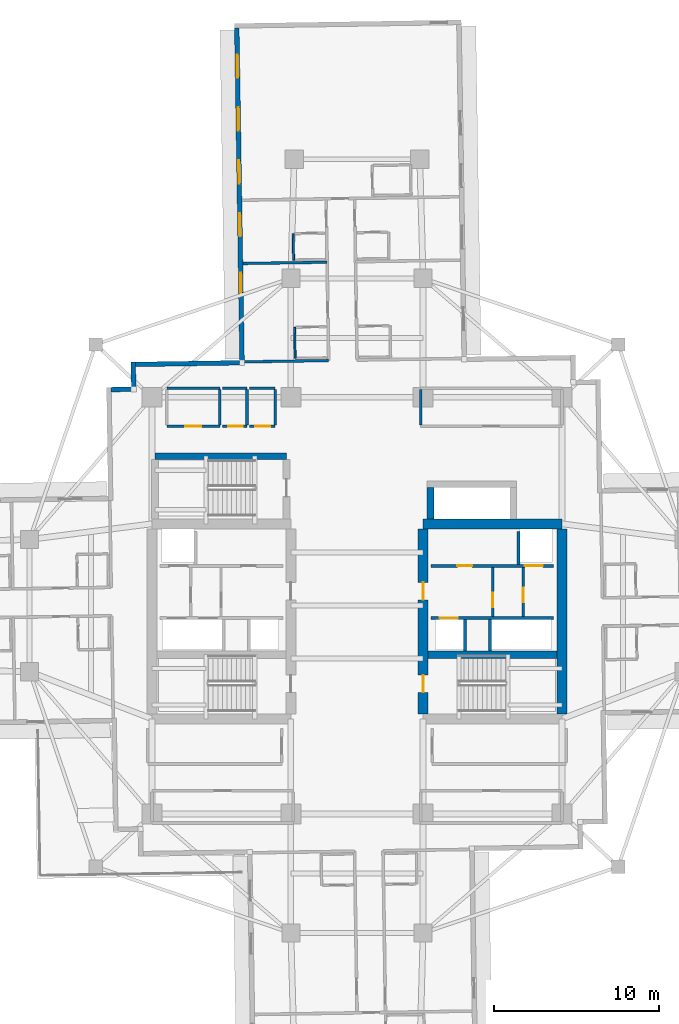
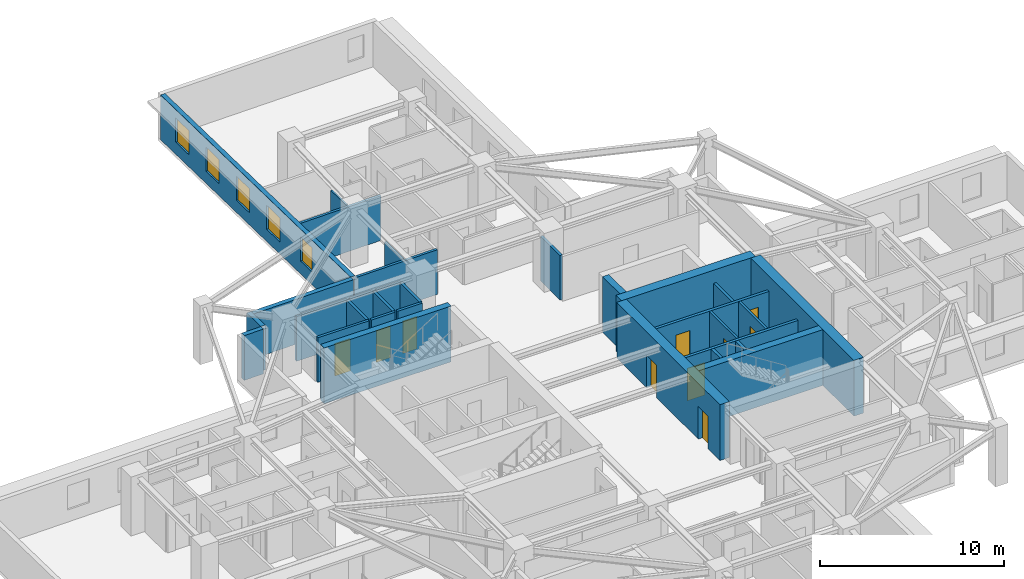
# One storey, part 6 of 14: 31 walls, 10 doors, 5 windows, 15 openings.
"""IFC4 building model written with IfcOpenShell, lengths in metres."""

from ifc_helpers import new_model, si_unit, direction, frame, frame_2d, origin, place, context, subcontext, project, spatial, rectangle, extrude, material, layer, layer_set, type_object, element, fill, save


model = new_model("IFC4")

# Units and contexts
model_context = context("Model", 3, precision=1e-05, world=origin(), true_north=direction((0.0, 1.0)))
body_context = subcontext(model_context, "Body", "Model", "MODEL_VIEW")
ifc_project = project(units=[si_unit("LENGTHUNIT", "METRE"), si_unit("AREAUNIT", "SQUARE_METRE"), si_unit("VOLUMEUNIT", "CUBIC_METRE"), si_unit("PLANEANGLEUNIT", "RADIAN"), si_unit("MASSUNIT", "GRAM", prefix="KILO")], contexts=[model_context])

# Site, building, storey
site_placement = place(None, origin())
site = spatial("IfcSite", under=ifc_project, at=site_placement, CompositionType="ELEMENT")
building_placement = place(site_placement, origin())
building = spatial("IfcBuilding", under=site, at=building_placement, Name="Qingluan Cross Belvedere", CompositionType="ELEMENT")
storey_placement = place(building_placement, frame((0.0, 0.0, 108.60009765625)))
storey = spatial("IfcBuildingStorey", under=building, at=storey_placement, Name="L27", CompositionType="ELEMENT", Elevation=108.60009765625)

# Walls
ifc_material_1 = material(Name="Concrete C50", Category="concrete")
ifc_layer_1 = layer(ifc_material_1, 0.449951171875, Name="CoreShearWall_450")
ifc_layer_set_1 = layer_set([ifc_layer_1], Name="Concrete C50")
wall_type_1 = type_object("IfcWallType", Name="CoreShearWall_450", PredefinedType="SHEAR", material=ifc_layer_set_1)
wall_1_placement = place(storey_placement, frame((4.304931640625, -2.9599609375, 0.0), z_axis=(0.0, 0.0, 1.0), x_axis=(1.0, 0.0, 0.0)))
element("IfcWall", 1, at=wall_1_placement, inside=storey, type_object=wall_type_1, Name="Split core E shear wall L27-M", PredefinedType="SHEAR", context=body_context, shape_type="SweptSolid", body=[
    extrude(rectangle(XDim=7.7900390625, YDim=0.449951171875, at=frame_2d((3.89501953125, 0.0))), origin(), (0.0, 0.0, 1.0), 3.699951171875),
])
wall_2_placement = place(storey_placement, frame((-12.219970703125, 9.0400390625, 0.0), z_axis=(0.0, 0.0, 1.0), x_axis=(1.0, 0.0, 0.0)))
element("IfcWall", 2, at=wall_2_placement, inside=storey, type_object=wall_type_1, Name="Stair ST3 structural wall N L27", PredefinedType="SHEAR", context=body_context, shape_type="SweptSolid", body=[
    extrude(rectangle(XDim=7.9599609375, YDim=0.39990234375, at=frame_2d((3.97998046875, 0.0))), origin(), (0.0, 0.0, 1.0), 3.699951171875),
])
wall_3_placement = place(storey_placement, frame((4.449951171875, 5.2548828125, 0.0), z_axis=(0.0, 0.0, 1.0), x_axis=(0.0, 1.0, 0.0)))
element("IfcWall", 3, at=wall_3_placement, inside=storey, type_object=wall_type_1, Name="Express shuttle core wall L27-W", PredefinedType="SHEAR", context=body_context, shape_type="SweptSolid", body=[
    extrude(rectangle(XDim=1.885009765625, YDim=0.39990234375, at=frame_2d((0.9423828125, 0.0))), origin(), (0.0, 0.0, 1.0), 3.699951171875),
])
ifc_material_2 = material(Name="Concrete C60", Category="concrete")
ifc_layer_2 = layer(ifc_material_2, 0.60009765625, Name="CoreShearWall_600")
ifc_layer_set_2 = layer_set([ifc_layer_2], Name="Concrete C60")
wall_type_2 = type_object("IfcWallType", Name="CoreShearWall_600", PredefinedType="SHEAR", material=ifc_layer_set_2)
wall_4_placement = place(storey_placement, frame((4.0, 4.949951171875, 0.0), z_axis=(0.0, 0.0, 1.0), x_axis=(1.0, 0.0, 0.0)))
element("IfcWall", 4, at=wall_4_placement, inside=storey, type_object=wall_type_2, Name="Split core E shear wall L27-N", PredefinedType="SHEAR", context=body_context, shape_type="SweptSolid", body=[
    extrude(rectangle(XDim=8.39990234375, YDim=0.60009765625, at=frame_2d((4.199951171875, 0.0))), origin(), (0.0, 0.0, 1.0), 3.699951171875),
])

# Wall, openings, doors
wall_5_placement = place(storey_placement, frame((4.0, -6.544921875, 0.0), z_axis=(0.0, 0.0, 1.0), x_axis=(0.0, 1.0, 0.0)))
wall_5 = element("IfcWall", 5, at=wall_5_placement, inside=storey, type_object=wall_type_2, Name="Split core E shear wall L27-W", PredefinedType="SHEAR", context=body_context, shape_type="SweptSolid", body=[
    extrude(rectangle(XDim=11.18994140625, YDim=0.60009765625, at=frame_2d((5.594970703125, 0.0))), origin(), (0.0, 0.0, 1.0), 3.699951171875),
])
opening_1_placement = place(wall_5_placement, frame((1.294921875, 0.0, 0.0)))
opening_1 = element("IfcOpeningElement", 6, at=opening_1_placement, cuts=wall_5, Name="Opening FD-B11", PredefinedType="OPENING", context=body_context, shape_type="SweptSolid", body=[
    extrude(rectangle(XDim=1.050048828125, YDim=2.14990234375, at=frame_2d((0.52490234375, 1.074951171875))), frame((0.0, 0.31005859375, 0.0), z_axis=(0.0, -1.0, 0.0), x_axis=(1.0, 0.0, 0.0)), (0.0, 0.0, 1.0), 0.6201171875),
])
opening_2_placement = place(wall_5_placement, frame((6.89501953125, 0.0, 0.0)))
opening_2 = element("IfcOpeningElement", 7, at=opening_2_placement, cuts=wall_5, Name="Opening FD-B11", PredefinedType="OPENING", context=body_context, shape_type="SweptSolid", body=[
    extrude(rectangle(XDim=1.050048828125, YDim=2.14990234375, at=frame_2d((0.52490234375, 1.074951171875))), frame((0.0, 0.31005859375, 0.0), z_axis=(0.0, -1.0, 0.0), x_axis=(1.0, 0.0, 0.0)), (0.0, 0.0, 1.0), 0.6201171875),
])
ifc_material_3 = material(Name="Steel Class B smoke-seal fire door", Category="steel")
door_type_1 = type_object("IfcDoorType", Name="StairLobbyFireDoor_FDB", OperationType="NOTDEFINED", PredefinedType="DOOR", material=ifc_material_3)
door_1_placement = place(opening_1_placement, origin())
door_1 = element("IfcDoor", 8, at=door_1_placement, inside=storey, type_object=door_type_1, Name="Smoke-proof stair ST2 fire door L27", OperationType="SINGLE_SWING_RIGHT", OverallHeight=2.14990234375, OverallWidth=1.050048828125, PredefinedType="DOOR", context=body_context, shape_type="SweptSolid", body=[
    extrude(rectangle(XDim=1.050048828125, YDim=2.14990234375, at=frame_2d((0.52490234375, 1.074951171875))), frame((0.0, 0.02490234375, 0.0), z_axis=(0.0, -1.0, 0.0), x_axis=(1.0, 0.0, 0.0)), (0.0, 0.0, 1.0), 0.050048828125),
])
fill(opening_1, door_1)
door_2_placement = place(opening_2_placement, origin())
door_2 = element("IfcDoor", 9, at=door_2_placement, inside=storey, type_object=door_type_1, Name="Firefighting lobby East fire door L27", OperationType="SINGLE_SWING_RIGHT", OverallHeight=2.14990234375, OverallWidth=1.050048828125, PredefinedType="DOOR", context=body_context, shape_type="SweptSolid", body=[
    extrude(rectangle(XDim=1.050048828125, YDim=2.14990234375, at=frame_2d((0.52490234375, 1.074951171875))), frame((0.0, 0.02490234375, 0.0), z_axis=(0.0, -1.0, 0.0), x_axis=(1.0, 0.0, 0.0)), (0.0, 0.0, 1.0), 0.050048828125),
])
fill(opening_2, door_2)

# Wall
wall_6_placement = place(storey_placement, frame((12.39990234375, -6.544921875, 0.0), z_axis=(0.0, 0.0, 1.0), x_axis=(0.0, 1.0, 0.0)))
element("IfcWall", 10, at=wall_6_placement, inside=storey, type_object=wall_type_2, Name="Split core E shear wall L27-E", PredefinedType="SHEAR", context=body_context, shape_type="SweptSolid", body=[
    extrude(rectangle(XDim=11.18994140625, YDim=0.60009765625, at=frame_2d((5.594970703125, 0.0))), origin(), (0.0, 0.0, 1.0), 3.699951171875),
])

# Wall, opening, door
ifc_material_4 = material(Name="Gypsum plasterboard on steel stud acoustic partition", Category="steel")
ifc_layer_3 = layer(ifc_material_4, 0.159912109375, Name="CorridorPartition_160")
ifc_layer_set_3 = layer_set([ifc_layer_3], Name="Gypsum plasterboard on steel stud acoustic partition")
wall_type_3 = type_object("IfcWallType", Name="CorridorPartition_160", PredefinedType="PARTITIONING", material=ifc_layer_set_3)
wall_7_placement = place(storey_placement, frame((10.050048828125, -0.652099609375, 0.0), z_axis=(0.0, 0.0, 1.0), x_axis=(0.0, 1.0, 0.0)))
wall_7 = element("IfcWall", 11, at=wall_7_placement, inside=storey, type_object=wall_type_3, Name="Partition L27:ev", PredefinedType="PARTITIONING", context=body_context, shape_type="SweptSolid", body=[
    extrude(rectangle(XDim=2.962158203125, YDim=0.139892578125, at=frame_2d((1.48095703125, 0.0))), origin(), (0.0, 0.0, 1.0), 2.9599609375),
])
opening_3_placement = place(wall_7_placement, frame((0.85009765625, 0.0, 0.0)))
opening_3 = element("IfcOpeningElement", 12, at=opening_3_placement, cuts=wall_7, Name="Opening FD-B10", PredefinedType="OPENING", context=body_context, shape_type="SweptSolid", body=[
    extrude(rectangle(XDim=0.8798828125, YDim=2.10009765625, at=frame_2d((0.43994140625, 1.050048828125))), frame((0.0, 0.079833984375, 0.0), z_axis=(0.0, -1.0, 0.0), x_axis=(1.0, 0.0, 0.0)), (0.0, 0.0, 1.0), 0.159912109375),
])
ifc_material_5 = material(Name="Steel Class B service fire door", Category="steel")
door_type_2 = type_object("IfcDoorType", Name="RiserServiceFireDoor_FDB", OperationType="NOTDEFINED", PredefinedType="DOOR", material=ifc_material_5)
door_3_placement = place(opening_3_placement, origin())
door_3 = element("IfcDoor", 13, at=door_3_placement, inside=storey, type_object=door_type_2, Name="Service closet inner door L27", OperationType="SINGLE_SWING_LEFT", OverallHeight=2.10009765625, OverallWidth=0.8798828125, PredefinedType="DOOR", context=body_context, shape_type="SweptSolid", body=[
    extrude(rectangle(XDim=0.8798828125, YDim=2.10009765625, at=frame_2d((0.43994140625, 1.050048828125))), frame((0.0, 0.02490234375, 0.0), z_axis=(0.0, -1.0, 0.0), x_axis=(1.0, 0.0, 0.0)), (0.0, 0.0, 1.0), 0.050048828125),
])
fill(opening_3, door_3)

wall_8_placement = place(storey_placement, frame((-11.5, 10.85009765625, 0.0), z_axis=(0.0, 0.0, 1.0), x_axis=(1.0, 0.0, 0.0)))
wall_8 = element("IfcWall", 14, at=wall_8_placement, inside=storey, type_object=wall_type_3, Name="Partition L27:q_nw_occ:S", PredefinedType="PARTITIONING", context=body_context, shape_type="SweptSolid", body=[
    extrude(rectangle(XDim=3.199951171875, YDim=0.159912109375, at=frame_2d((1.60009765625, 0.0))), origin(), (0.0, 0.0, 1.0), 2.9599609375),
])
opening_4_placement = place(wall_8_placement, frame((1.1201171875, 0.0, 0.0)))
opening_4 = element("IfcOpeningElement", 15, at=opening_4_placement, cuts=wall_8, Name="Opening GD-10", PredefinedType="OPENING", context=body_context, shape_type="SweptSolid", body=[
    extrude(rectangle(XDim=0.9599609375, YDim=2.14990234375, at=frame_2d((0.47998046875, 1.074951171875))), frame((0.0, 0.08984375, 0.0), z_axis=(0.0, -1.0, 0.0), x_axis=(1.0, 0.0, 0.0)), (0.0, 0.0, 1.0), 0.179931640625),
])
ifc_material_6 = material(Name="Timber oak fire-rated acoustic guestroom door", Category="wood")
door_type_3 = type_object("IfcDoorType", Name="GuestEntryDoor_FD60", OperationType="NOTDEFINED", PredefinedType="DOOR", material=ifc_material_6)
door_4_placement = place(opening_4_placement, origin())
door_4 = element("IfcDoor", 16, at=door_4_placement, inside=storey, type_object=door_type_3, Name="Northwest corner reading salon L27 door", OperationType="SINGLE_SWING_RIGHT", OverallHeight=2.14990234375, OverallWidth=0.9599609375, PredefinedType="DOOR", context=body_context, shape_type="SweptSolid", body=[
    extrude(rectangle(XDim=0.9599609375, YDim=2.14990234375, at=frame_2d((0.47998046875, 1.074951171875))), frame((0.0, 0.02490234375, 0.0), z_axis=(0.0, -1.0, 0.0), x_axis=(1.0, 0.0, 0.0)), (0.0, 0.0, 1.0), 0.050048828125),
])
fill(opening_4, door_4)

# Walls
wall_9_placement = place(storey_placement, frame((-11.5, 13.14990234375, 0.0), z_axis=(0.0, 0.0, 1.0), x_axis=(1.0, 0.0, 0.0)))
element("IfcWall", 17, at=wall_9_placement, inside=storey, type_object=wall_type_3, Name="Partition L27:q_nw_occ:N", PredefinedType="PARTITIONING", context=body_context, shape_type="SweptSolid", body=[
    extrude(rectangle(XDim=3.199951171875, YDim=0.159912109375, at=frame_2d((1.60009765625, 0.0))), origin(), (0.0, 0.0, 1.0), 2.9599609375),
])
wall_10_placement = place(storey_placement, frame((-8.300048828125, 10.93505859375, 0.0), z_axis=(0.0, 0.0, 1.0), x_axis=(0.0, 1.0, 0.0)))
element("IfcWall", 18, at=wall_10_placement, inside=storey, type_object=wall_type_3, Name="Partition L27:q_nw_occ:E", PredefinedType="PARTITIONING", context=body_context, shape_type="SweptSolid", body=[
    extrude(rectangle(XDim=2.1298828125, YDim=0.159912109375, at=frame_2d((1.06494140625, 0.0))), origin(), (0.0, 0.0, 1.0), 2.9599609375),
])

# Wall, opening, door
wall_11_placement = place(storey_placement, frame((-8.139892578125, 10.85009765625, 0.0), z_axis=(0.0, 0.0, 1.0), x_axis=(1.0, 0.0, 0.0)))
wall_11 = element("IfcWall", 19, at=wall_11_placement, inside=storey, type_object=wall_type_3, Name="Partition L27:hk_linen:S", PredefinedType="PARTITIONING", context=body_context, shape_type="SweptSolid", body=[
    extrude(rectangle(XDim=1.489990234375, YDim=0.159912109375, at=frame_2d((0.7451171875, 0.0))), origin(), (0.0, 0.0, 1.0), 2.9599609375),
])
opening_5_placement = place(wall_11_placement, frame((0.35009765625, 0.0, 0.0)))
opening_5 = element("IfcOpeningElement", 20, at=opening_5_placement, cuts=wall_11, Name="Opening FD-B10", PredefinedType="OPENING", context=body_context, shape_type="SweptSolid", body=[
    extrude(rectangle(XDim=0.8798828125, YDim=2.10009765625, at=frame_2d((0.43994140625, 1.050048828125))), frame((0.0, 0.08984375, 0.0), z_axis=(0.0, -1.0, 0.0), x_axis=(1.0, 0.0, 0.0)), (0.0, 0.0, 1.0), 0.179931640625),
])
door_5_placement = place(opening_5_placement, origin())
door_5 = element("IfcDoor", 21, at=door_5_placement, inside=storey, type_object=door_type_2, Name="Housekeeping and linen store L27 door", OperationType="SINGLE_SWING_LEFT", OverallHeight=2.10009765625, OverallWidth=0.8798828125, PredefinedType="DOOR", context=body_context, shape_type="SweptSolid", body=[
    extrude(rectangle(XDim=0.8798828125, YDim=2.10009765625, at=frame_2d((0.43994140625, 1.050048828125))), frame((0.0, 0.02490234375, 0.0), z_axis=(0.0, -1.0, 0.0), x_axis=(1.0, 0.0, 0.0)), (0.0, 0.0, 1.0), 0.050048828125),
])
fill(opening_5, door_5)

# Walls
wall_12_placement = place(storey_placement, frame((-8.139892578125, 13.14990234375, 0.0), z_axis=(0.0, 0.0, 1.0), x_axis=(1.0, 0.0, 0.0)))
element("IfcWall", 22, at=wall_12_placement, inside=storey, type_object=wall_type_3, Name="Partition L27:hk_linen:N", PredefinedType="PARTITIONING", context=body_context, shape_type="SweptSolid", body=[
    extrude(rectangle(XDim=1.489990234375, YDim=0.159912109375, at=frame_2d((0.7451171875, 0.0))), origin(), (0.0, 0.0, 1.0), 2.9599609375),
])
wall_13_placement = place(storey_placement, frame((-6.64990234375, 10.93505859375, 0.0), z_axis=(0.0, 0.0, 1.0), x_axis=(0.0, 1.0, 0.0)))
element("IfcWall", 23, at=wall_13_placement, inside=storey, type_object=wall_type_3, Name="Partition L27:hk_linen:E", PredefinedType="PARTITIONING", context=body_context, shape_type="SweptSolid", body=[
    extrude(rectangle(XDim=2.1298828125, YDim=0.159912109375, at=frame_2d((1.06494140625, 0.0))), origin(), (0.0, 0.0, 1.0), 2.9599609375),
])

# Wall, opening, door
wall_14_placement = place(storey_placement, frame((-6.489990234375, 10.85009765625, 0.0), z_axis=(0.0, 0.0, 1.0), x_axis=(1.0, 0.0, 0.0)))
wall_14 = element("IfcWall", 24, at=wall_14_placement, inside=storey, type_object=wall_type_3, Name="Partition L27:floor_acc_wc:S", PredefinedType="PARTITIONING", context=body_context, shape_type="SweptSolid", body=[
    extrude(rectangle(XDim=1.5400390625, YDim=0.159912109375, at=frame_2d((0.77001953125, 0.0))), origin(), (0.0, 0.0, 1.0), 2.9599609375),
])
opening_6_placement = place(wall_14_placement, frame((0.35009765625, 0.0, 0.0)))
opening_6 = element("IfcOpeningElement", 25, at=opening_6_placement, cuts=wall_14, Name="Opening BD-08", PredefinedType="OPENING", context=body_context, shape_type="SweptSolid", body=[
    extrude(rectangle(XDim=0.8798828125, YDim=2.14990234375, at=frame_2d((0.43994140625, 1.074951171875))), frame((0.0, 0.08984375, 0.0), z_axis=(0.0, -1.0, 0.0), x_axis=(1.0, 0.0, 0.0)), (0.0, 0.0, 1.0), 0.179931640625),
])
ifc_material_7 = material(Name="Moisture-sealed timber accessible WC door", Category="wood")
door_type_4 = type_object("IfcDoorType", Name="AccessibleWCDoor_880", OperationType="NOTDEFINED", PredefinedType="DOOR", material=ifc_material_7)
door_6_placement = place(opening_6_placement, origin())
door_6 = element("IfcDoor", 26, at=door_6_placement, inside=storey, type_object=door_type_4, Name="Accessible guest washroom L27 door", OperationType="SINGLE_SWING_RIGHT", OverallHeight=2.14990234375, OverallWidth=0.8798828125, PredefinedType="DOOR", context=body_context, shape_type="SweptSolid", body=[
    extrude(rectangle(XDim=0.8798828125, YDim=2.14990234375, at=frame_2d((0.43994140625, 1.074951171875))), frame((0.0, 0.02490234375, 0.0), z_axis=(0.0, -1.0, 0.0), x_axis=(1.0, 0.0, 0.0)), (0.0, 0.0, 1.0), 0.050048828125),
])
fill(opening_6, door_6)

# Walls
wall_15_placement = place(storey_placement, frame((-6.489990234375, 13.14990234375, 0.0), z_axis=(0.0, 0.0, 1.0), x_axis=(1.0, 0.0, 0.0)))
element("IfcWall", 27, at=wall_15_placement, inside=storey, type_object=wall_type_3, Name="Partition L27:floor_acc_wc:N", PredefinedType="PARTITIONING", context=body_context, shape_type="SweptSolid", body=[
    extrude(rectangle(XDim=1.5400390625, YDim=0.159912109375, at=frame_2d((0.77001953125, 0.0))), origin(), (0.0, 0.0, 1.0), 2.9599609375),
])
for number, where, z_axis, x_axis, name in (
    (28, (-4.949951171875, 10.93505859375, 0.0), (0.0, 0.0, 1.0), (0.0, 1.0, 0.0), "Partition L27:floor_acc_wc:E"),
    (29, (3.85009765625, 10.93505859375, 0.0), (0.0, 0.0, 1.0), (0.0, 1.0, 0.0), "Partition L27:q_ne:W"),
):
    element("IfcWall", number, at=place(storey_placement, frame(where, z_axis=z_axis, x_axis=x_axis)), inside=storey, type_object=wall_type_3, Name=name, PredefinedType="PARTITIONING", context=body_context, shape_type="SweptSolid", body=[
        extrude(rectangle(XDim=2.1298828125, YDim=0.159912109375, at=frame_2d((1.06494140625, 0.0))), origin(), (0.0, 0.0, 1.0), 2.9599609375),
    ])
wall_16_placement = place(storey_placement, frame((-1.713134765625, 14.824951171875, 0.0), z_axis=(0.0, 0.0, 1.0), x_axis=(-0.99987672073, -0.015701698737, 0.0)))
element("IfcWall", 30, at=wall_16_placement, inside=storey, type_object=wall_type_3, Name="Partition L27:N:s1", PredefinedType="PARTITIONING", context=body_context, shape_type="SweptSolid", body=[
    extrude(rectangle(XDim=5.239990234375, YDim=0.159912109375, at=frame_2d((2.6201171875, 0.0))), origin(), (0.0, 0.0, 1.0), 2.9599609375),
])
wall_17_placement = place(storey_placement, frame((-1.806396484375, 20.774169921875, 0.0), z_axis=(0.0, 0.0, 1.0), x_axis=(-0.999876343559, -0.015725698427, 0.0)))
element("IfcWall", 31, at=wall_17_placement, inside=storey, type_object=wall_type_3, Name="Partition L27:N:d1_0", PredefinedType="PARTITIONING", context=body_context, shape_type="SweptSolid", body=[
    extrude(rectangle(XDim=5.09228515625, YDim=0.159912109375, at=frame_2d((2.546142578125, 0.0))), origin(), (0.0, 0.0, 1.0), 2.9599609375),
])
ifc_material_8 = material(Name="Moisture-resistant gypsum board lining")
ifc_layer_4 = layer(ifc_material_8, 0.1201171875, Name="EnsuiteWetPartition_120")
ifc_layer_set_4 = layer_set([ifc_layer_4], Name="Moisture-resistant gypsum board lining")
wall_type_4 = type_object("IfcWallType", Name="EnsuiteWetPartition_120", PredefinedType="PARTITIONING", material=ifc_layer_set_4)
wall_18_placement = place(storey_placement, frame((-3.740234375, 14.953125, 0.0), z_axis=(0.0, 0.0, 1.0), x_axis=(-0.015842167482, 0.99987450499, 0.0)))
element("IfcWall", 32, at=wall_18_placement, inside=storey, type_object=wall_type_4, Name="Partition L27:N:bc1_0", PredefinedType="PARTITIONING", context=body_context, shape_type="SweptSolid", body=[
    extrude(rectangle(XDim=1.880126953125, YDim=0.1201171875, at=frame_2d((0.93994140625, 0.0))), origin(), (0.0, 0.0, 1.0), 2.9599609375),
])
wall_19_placement = place(storey_placement, frame((-3.833740234375, 20.90234375, 0.0), z_axis=(0.0, 0.0, 1.0), x_axis=(-0.015716050513, 0.999876495251, 0.0)))
element("IfcWall", 33, at=wall_19_placement, inside=storey, type_object=wall_type_4, Name="Partition L27:N:bc1_1", PredefinedType="PARTITIONING", context=body_context, shape_type="SweptSolid", body=[
    extrude(rectangle(XDim=1.60009765625, YDim=0.1201171875, at=frame_2d((0.800048828125, 0.0))), origin(), (0.0, 0.0, 1.0), 2.9599609375),
])

# Wall, openings, windows
ifc_material_9 = material(Name="Precast concrete C45", Category="concrete")
ifc_layer_5 = layer(ifc_material_9, 0.280029296875, Name="PrecastFacadeWall_280")
ifc_layer_set_5 = layer_set([ifc_layer_5], Name="Precast concrete C45")
wall_type_5 = type_object("IfcWallType", Name="PrecastFacadeWall_280", PredefinedType="STANDARD", material=ifc_layer_set_5)
wall_20_placement = place(storey_placement, frame((-7.26953125, 34.93017578125, 0.0), z_axis=(0.0, 0.0, 1.0), x_axis=(0.015705059908, -0.999876667941, 0.0)))
wall_20 = element("IfcWall", 34, at=wall_20_placement, inside=storey, type_object=wall_type_5, Name="Facade wall L27-NB", PredefinedType="STANDARD", context=body_context, shape_type="SweptSolid", body=[
    extrude(rectangle(XDim=20.10009765625, YDim=0.280029296875, at=frame_2d((10.050048828125, 0.0))), origin(), (0.0, 0.0, 1.0), 2.969970703125),
])
opening_7_placement = place(wall_20_placement, frame((1.60009765625, 0.0, 0.800048828125)))
opening_7 = element("IfcOpeningElement", 35, at=opening_7_placement, cuts=wall_20, Name="Opening W-01", PredefinedType="OPENING", context=body_context, shape_type="SweptSolid", body=[
    extrude(rectangle(XDim=1.39990234375, YDim=1.60009765625, at=frame_2d((0.699951171875, 0.800048828125))), frame((0.0, 0.14990234375, 0.0), z_axis=(0.0, -1.0, 0.0), x_axis=(1.0, 0.0, 0.0)), (0.0, 0.0, 1.0), 0.300048828125),
])
opening_8_placement = place(wall_20_placement, frame((4.800048828125, 0.0, 0.800048828125)))
opening_8 = element("IfcOpeningElement", 36, at=opening_8_placement, cuts=wall_20, Name="Opening W-01", PredefinedType="OPENING", context=body_context, shape_type="SweptSolid", body=[
    extrude(rectangle(XDim=1.39990234375, YDim=1.60009765625, at=frame_2d((0.699951171875, 0.800048828125))), frame((0.0, 0.14990234375, 0.0), z_axis=(0.0, -1.0, 0.0), x_axis=(1.0, 0.0, 0.0)), (0.0, 0.0, 1.0), 0.300048828125),
])
opening_9_placement = place(wall_20_placement, frame((8.0, 0.0, 0.800048828125)))
opening_9 = element("IfcOpeningElement", 37, at=opening_9_placement, cuts=wall_20, Name="Opening W-01", PredefinedType="OPENING", context=body_context, shape_type="SweptSolid", body=[
    extrude(rectangle(XDim=1.39990234375, YDim=1.60009765625, at=frame_2d((0.699951171875, 0.800048828125))), frame((0.0, 0.14990234375, 0.0), z_axis=(0.0, -1.0, 0.0), x_axis=(1.0, 0.0, 0.0)), (0.0, 0.0, 1.0), 0.300048828125),
])
opening_10_placement = place(wall_20_placement, frame((11.199951171875, 0.0, 0.800048828125)))
opening_10 = element("IfcOpeningElement", 38, at=opening_10_placement, cuts=wall_20, Name="Opening W-01", PredefinedType="OPENING", context=body_context, shape_type="SweptSolid", body=[
    extrude(rectangle(XDim=1.39990234375, YDim=1.60009765625, at=frame_2d((0.699951171875, 0.800048828125))), frame((0.0, 0.14990234375, 0.0), z_axis=(0.0, -1.0, 0.0), x_axis=(1.0, 0.0, 0.0)), (0.0, 0.0, 1.0), 0.300048828125),
])
opening_11_placement = place(wall_20_placement, frame((14.799072265625, 0.0, 0.85009765625)))
opening_11 = element("IfcOpeningElement", 39, at=opening_11_placement, cuts=wall_20, Name="Opening W-02", PredefinedType="OPENING", context=body_context, shape_type="SweptSolid", body=[
    extrude(rectangle(XDim=1.199951171875, YDim=1.60009765625, at=frame_2d((0.60009765625, 0.800048828125))), frame((0.0, 0.14990234375, 0.0), z_axis=(0.0, -1.0, 0.0), x_axis=(1.0, 0.0, 0.0)), (0.0, 0.0, 1.0), 0.300048828125),
])
ifc_material_10 = material(Name="Thermally broken triple Low-E glass in aluminium frame", Category="aluminium")
window_type_1 = type_object("IfcWindowType", Name="TriRibbonWin_1200x1600", PartitioningType="SINGLE_PANEL", PredefinedType="WINDOW", material=ifc_material_10)
window_1_placement = place(opening_11_placement, origin())
window_1 = element("IfcWindow", 40, at=window_1_placement, inside=storey, type_object=window_type_1, Name="Deluxe guest room 2713 daylight window", OverallHeight=1.60009765625, OverallWidth=1.199951171875, PartitioningType="SINGLE_PANEL", PredefinedType="WINDOW", context=body_context, shape_type="SweptSolid", body=[
    extrude(rectangle(XDim=1.199951171875, YDim=1.60009765625, at=frame_2d((0.60009765625, 0.800048828125))), frame((0.0, 0.030029296875, 0.0), z_axis=(0.0, -1.0, 0.0), x_axis=(1.0, 0.0, 0.0)), (0.0, 0.0, 1.0), 0.06005859375),
])
fill(opening_11, window_1)
ifc_material_11 = material(Name="Thermally broken triple Low-E glass in aluminium frame", Category="aluminium")
window_type_2 = type_object("IfcWindowType", Name="TriRibbonWin_1400x1600", PartitioningType="SINGLE_PANEL", PredefinedType="WINDOW", material=ifc_material_11)
window_2_placement = place(opening_7_placement, origin())
window_2 = element("IfcWindow", 41, at=window_2_placement, inside=storey, type_object=window_type_2, Name="Ribbon window L27-NB-1", OverallHeight=1.60009765625, OverallWidth=1.39990234375, PartitioningType="SINGLE_PANEL", PredefinedType="WINDOW", context=body_context, shape_type="SweptSolid", body=[
    extrude(rectangle(XDim=1.39990234375, YDim=1.60009765625, at=frame_2d((0.699951171875, 0.800048828125))), frame((0.0, 0.030029296875, 0.0), z_axis=(0.0, -1.0, 0.0), x_axis=(1.0, 0.0, 0.0)), (0.0, 0.0, 1.0), 0.06005859375),
])
fill(opening_7, window_2)
window_3_placement = place(opening_8_placement, origin())
window_3 = element("IfcWindow", 42, at=window_3_placement, inside=storey, type_object=window_type_2, Name="Ribbon window L27-NB-2", OverallHeight=1.60009765625, OverallWidth=1.39990234375, PartitioningType="SINGLE_PANEL", PredefinedType="WINDOW", context=body_context, shape_type="SweptSolid", body=[
    extrude(rectangle(XDim=1.39990234375, YDim=1.60009765625, at=frame_2d((0.699951171875, 0.800048828125))), frame((0.0, 0.030029296875, 0.0), z_axis=(0.0, -1.0, 0.0), x_axis=(1.0, 0.0, 0.0)), (0.0, 0.0, 1.0), 0.06005859375),
])
fill(opening_8, window_3)
window_4_placement = place(opening_9_placement, origin())
window_4 = element("IfcWindow", 43, at=window_4_placement, inside=storey, type_object=window_type_2, Name="Ribbon window L27-NB-3", OverallHeight=1.60009765625, OverallWidth=1.39990234375, PartitioningType="SINGLE_PANEL", PredefinedType="WINDOW", context=body_context, shape_type="SweptSolid", body=[
    extrude(rectangle(XDim=1.39990234375, YDim=1.60009765625, at=frame_2d((0.699951171875, 0.800048828125))), frame((0.0, 0.030029296875, 0.0), z_axis=(0.0, -1.0, 0.0), x_axis=(1.0, 0.0, 0.0)), (0.0, 0.0, 1.0), 0.06005859375),
])
fill(opening_9, window_4)
window_5_placement = place(opening_10_placement, origin())
window_5 = element("IfcWindow", 44, at=window_5_placement, inside=storey, type_object=window_type_2, Name="Ribbon window L27-NB-4", OverallHeight=1.60009765625, OverallWidth=1.39990234375, PartitioningType="SINGLE_PANEL", PredefinedType="WINDOW", context=body_context, shape_type="SweptSolid", body=[
    extrude(rectangle(XDim=1.39990234375, YDim=1.60009765625, at=frame_2d((0.699951171875, 0.800048828125))), frame((0.0, 0.030029296875, 0.0), z_axis=(0.0, -1.0, 0.0), x_axis=(1.0, 0.0, 0.0)), (0.0, 0.0, 1.0), 0.06005859375),
])
fill(opening_10, window_5)

# Walls
wall_21_placement = place(storey_placement, frame((-14.8671875, 13.068115234375, 0.0), z_axis=(0.0, 0.0, 1.0), x_axis=(0.999875053502, 0.015807510352, 0.0)))
element("IfcWall", 45, at=wall_21_placement, inside=storey, type_object=wall_type_5, Name="Corner wall L27-NW2", PredefinedType="STANDARD", context=body_context, shape_type="SweptSolid", body=[
    extrude(rectangle(XDim=1.22021484375, YDim=0.280029296875, at=frame_2d((0.610107421875, 0.0))), origin(), (0.0, 0.0, 1.0), 2.969970703125),
])
wall_22_placement = place(storey_placement, frame((-13.509521484375, 13.2294921875, 0.0), z_axis=(0.0, 0.0, 1.0), x_axis=(-0.015625635615, 0.999877912303, 0.0)))
element("IfcWall", 46, at=wall_22_placement, inside=storey, type_object=wall_type_5, Name="Corner wall L27-NW3", PredefinedType="STANDARD", context=body_context, shape_type="SweptSolid", body=[
    extrude(rectangle(XDim=1.5, YDim=0.280029296875, at=frame_2d((0.75, 0.0))), origin(), (0.0, 0.0, 1.0), 2.969970703125),
])
wall_23_placement = place(storey_placement, frame((-13.390869140625, 14.591552734375, 0.0), z_axis=(0.0, 0.0, 1.0), x_axis=(0.999876833368, 0.015694524359, 0.0)))
element("IfcWall", 47, at=wall_23_placement, inside=storey, type_object=wall_type_5, Name="Corner wall L27-NW4", PredefinedType="STANDARD", context=body_context, shape_type="SweptSolid", body=[
    extrude(rectangle(XDim=6.300048828125, YDim=0.280029296875, at=frame_2d((3.14990234375, 0.0))), origin(), (0.0, 0.0, 1.0), 2.969970703125),
])

# Wall, openings, doors
ifc_material_12 = material(Name="Concrete C40", Category="concrete")
ifc_layer_6 = layer(ifc_material_12, 0.219970703125, Name="ShaftEnclosureWall_250")
ifc_layer_set_6 = layer_set([ifc_layer_6], Name="Concrete C40")
wall_type_6 = type_object("IfcWallType", Name="ShaftEnclosureWall_250", PredefinedType="SOLIDWALL", material=ifc_layer_set_6)
wall_24_placement = place(storey_placement, frame((4.47998046875, 2.409912109375, 0.0), z_axis=(0.0, 0.0, 1.0), x_axis=(1.0, 0.0, 0.0)))
wall_24 = element("IfcWall", 48, at=wall_24_placement, inside=storey, type_object=wall_type_6, Name="Core-E north hoistway wall L27", PredefinedType="SOLIDWALL", context=body_context, shape_type="SweptSolid", body=[
    extrude(rectangle(XDim=7.419921875, YDim=0.179931640625, at=frame_2d((3.7099609375, 0.0))), origin(), (0.0, 0.0, 1.0), 2.9599609375),
])
opening_12_placement = place(wall_24_placement, frame((5.669921875, 0.0, 0.0)))
opening_12 = element("IfcOpeningElement", 49, at=opening_12_placement, cuts=wall_24, Name="Opening LD-11", PredefinedType="OPENING", context=body_context, shape_type="SweptSolid", body=[
    extrude(rectangle(XDim=1.10009765625, YDim=2.14990234375, at=frame_2d((0.550048828125, 1.074951171875))), frame((0.0, 0.099853515625, 0.0), z_axis=(0.0, -1.0, 0.0), x_axis=(1.0, 0.0, 0.0)), (0.0, 0.0, 1.0), 0.199951171875),
])
opening_13_placement = place(wall_24_placement, frame((1.60009765625, 0.0, 0.0)))
opening_13 = element("IfcOpeningElement", 50, at=opening_13_placement, cuts=wall_24, Name="Opening FD-B10", PredefinedType="OPENING", context=body_context, shape_type="SweptSolid", body=[
    extrude(rectangle(XDim=0.8798828125, YDim=2.10009765625, at=frame_2d((0.43994140625, 1.050048828125))), frame((0.0, 0.099853515625, 0.0), z_axis=(0.0, -1.0, 0.0), x_axis=(1.0, 0.0, 0.0)), (0.0, 0.0, 1.0), 0.199951171875),
])
ifc_material_13 = material(Name="Brushed stainless steel centre-opening lift landing door", Category="steel")
door_type_5 = type_object("IfcDoorType", Name="LiftLandingSlidingDoor_1100", OperationType="DOUBLE_DOOR_SLIDING", PredefinedType="DOOR", material=ifc_material_13)
door_7_placement = place(opening_12_placement, origin())
door_7 = element("IfcDoor", 51, at=door_7_placement, inside=storey, type_object=door_type_5, Name="Lift landing sliding door FL2 L27", OperationType="DOUBLE_DOOR_SLIDING", OverallHeight=2.14990234375, OverallWidth=1.10009765625, PredefinedType="DOOR", context=body_context, shape_type="SweptSolid", body=[
    extrude(rectangle(XDim=1.10009765625, YDim=2.14990234375, at=frame_2d((0.550048828125, 1.074951171875))), frame((0.0, 0.02490234375, 0.0), z_axis=(0.0, -1.0, 0.0), x_axis=(1.0, 0.0, 0.0)), (0.0, 0.0, 1.0), 0.050048828125),
])
fill(opening_12, door_7)
door_8_placement = place(opening_13_placement, origin())
door_8 = element("IfcDoor", 52, at=door_8_placement, inside=storey, type_object=door_type_2, Name="Pantry room door E L27", OperationType="SINGLE_SWING_LEFT", OverallHeight=2.10009765625, OverallWidth=0.8798828125, PredefinedType="DOOR", context=body_context, shape_type="SweptSolid", body=[
    extrude(rectangle(XDim=0.8798828125, YDim=2.10009765625, at=frame_2d((0.43994140625, 1.050048828125))), frame((0.0, 0.02490234375, 0.0), z_axis=(0.0, -1.0, 0.0), x_axis=(1.0, 0.0, 0.0)), (0.0, 0.0, 1.0), 0.050048828125),
])
fill(opening_13, door_8)

# Wall, opening, door
wall_25_placement = place(storey_placement, frame((4.47998046875, -0.75, 0.0), z_axis=(0.0, 0.0, 1.0), x_axis=(1.0, 0.0, 0.0)))
wall_25 = element("IfcWall", 53, at=wall_25_placement, inside=storey, type_object=wall_type_6, Name="Core-E mid hoistway wall L27", PredefinedType="SOLIDWALL", context=body_context, shape_type="SweptSolid", body=[
    extrude(rectangle(XDim=7.419921875, YDim=0.179931640625, at=frame_2d((3.7099609375, 0.0))), origin(), (0.0, 0.0, 1.0), 2.9599609375),
])
opening_14_placement = place(wall_25_placement, frame((0.52001953125, 0.0, 0.0)))
opening_14 = element("IfcOpeningElement", 54, at=opening_14_placement, cuts=wall_25, Name="Opening LD-11", PredefinedType="OPENING", context=body_context, shape_type="SweptSolid", body=[
    extrude(rectangle(XDim=1.10009765625, YDim=2.14990234375, at=frame_2d((0.550048828125, 1.074951171875))), frame((0.0, 0.099853515625, 0.0), z_axis=(0.0, -1.0, 0.0), x_axis=(1.0, 0.0, 0.0)), (0.0, 0.0, 1.0), 0.199951171875),
])
door_9_placement = place(opening_14_placement, origin())
door_9 = element("IfcDoor", 55, at=door_9_placement, inside=storey, type_object=door_type_5, Name="Lift landing sliding door LP7 L27", OperationType="DOUBLE_DOOR_SLIDING", OverallHeight=2.14990234375, OverallWidth=1.10009765625, PredefinedType="DOOR", context=body_context, shape_type="SweptSolid", body=[
    extrude(rectangle(XDim=1.10009765625, YDim=2.14990234375, at=frame_2d((0.550048828125, 1.074951171875))), frame((0.0, 0.02490234375, 0.0), z_axis=(0.0, -1.0, 0.0), x_axis=(1.0, 0.0, 0.0)), (0.0, 0.0, 1.0), 0.050048828125),
])
fill(opening_14, door_9)

# Walls
wall_26_placement = place(storey_placement, frame((9.760009765625, 2.5, 0.0), z_axis=(0.0, 0.0, 1.0), x_axis=(0.0, 1.0, 0.0)))
element("IfcWall", 56, at=wall_26_placement, inside=storey, type_object=wall_type_6, Name="Hoistway enclosure divider FL2W L27", PredefinedType="SOLIDWALL", context=body_context, shape_type="SweptSolid", body=[
    extrude(rectangle(XDim=1.989990234375, YDim=0.179931640625, at=frame_2d((0.9951171875, 0.0))), origin(), (0.0, 0.0, 1.0), 2.9599609375),
])
for number, where, z_axis, x_axis, name in (
    (57, (6.5400390625, -2.72998046875, 0.0), (0.0, 0.0, 1.0), (0.0, 1.0, 0.0), "Hoistway enclosure divider LP7E L27"),
    (58, (8.06005859375, -2.72998046875, 0.0), (0.0, 0.0, 1.0), (0.0, 1.0, 0.0), "Hoistway enclosure divider LP9W L27"),
):
    element("IfcWall", number, at=place(storey_placement, frame(where, z_axis=z_axis, x_axis=x_axis)), inside=storey, type_object=wall_type_6, Name=name, PredefinedType="SOLIDWALL", context=body_context, shape_type="SweptSolid", body=[
        extrude(rectangle(XDim=1.889892578125, YDim=0.179931640625, at=frame_2d((0.94482421875, 0.0))), origin(), (0.0, 0.0, 1.0), 2.9599609375),
    ])

# Wall, opening, door
wall_27_placement = place(storey_placement, frame((8.219970703125, -0.64990234375, 0.0), z_axis=(0.0, 0.0, 1.0), x_axis=(0.0, 1.0, 0.0)))
wall_27 = element("IfcWall", 59, at=wall_27_placement, inside=storey, type_object=wall_type_6, Name="Core-E service corridor wall L27", PredefinedType="SOLIDWALL", context=body_context, shape_type="SweptSolid", body=[
    extrude(rectangle(XDim=2.9599609375, YDim=0.139892578125, at=frame_2d((1.47998046875, 0.0))), origin(), (0.0, 0.0, 1.0), 2.9599609375),
])
opening_15_placement = place(wall_27_placement, frame((0.550048828125, 0.0, 0.0)))
opening_15 = element("IfcOpeningElement", 60, at=opening_15_placement, cuts=wall_27, Name="Opening FD-B10", PredefinedType="OPENING", context=body_context, shape_type="SweptSolid", body=[
    extrude(rectangle(XDim=0.8798828125, YDim=2.10009765625, at=frame_2d((0.43994140625, 1.050048828125))), frame((0.0, 0.079833984375, 0.0), z_axis=(0.0, -1.0, 0.0), x_axis=(1.0, 0.0, 0.0)), (0.0, 0.0, 1.0), 0.159912109375),
])
door_10_placement = place(opening_15_placement, origin())
door_10 = element("IfcDoor", 61, at=door_10_placement, inside=storey, type_object=door_type_2, Name="Core-E service room door L27", OperationType="SINGLE_SWING_LEFT", OverallHeight=2.10009765625, OverallWidth=0.8798828125, PredefinedType="DOOR", context=body_context, shape_type="SweptSolid", body=[
    extrude(rectangle(XDim=0.8798828125, YDim=2.10009765625, at=frame_2d((0.43994140625, 1.050048828125))), frame((0.0, 0.02490234375, 0.0), z_axis=(0.0, -1.0, 0.0), x_axis=(1.0, 0.0, 0.0)), (0.0, 0.0, 1.0), 0.050048828125),
])
fill(opening_15, door_10)

save(model, "model.ifc")
